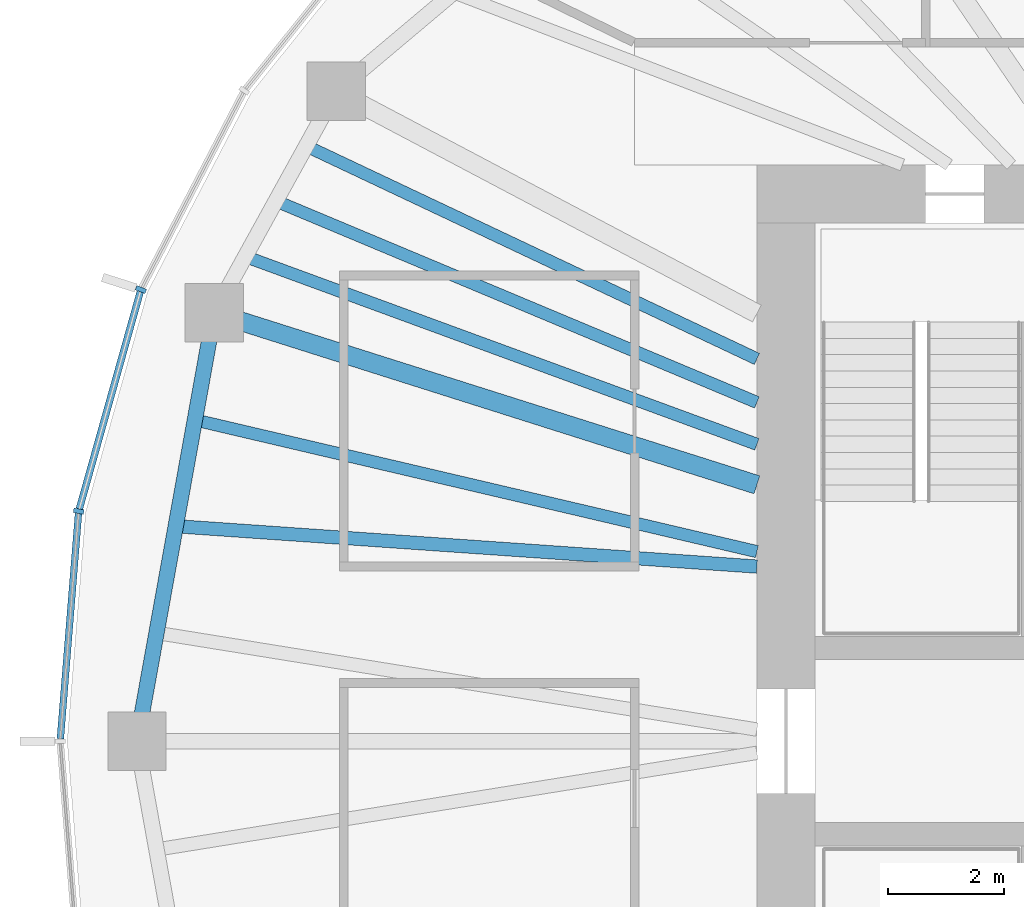
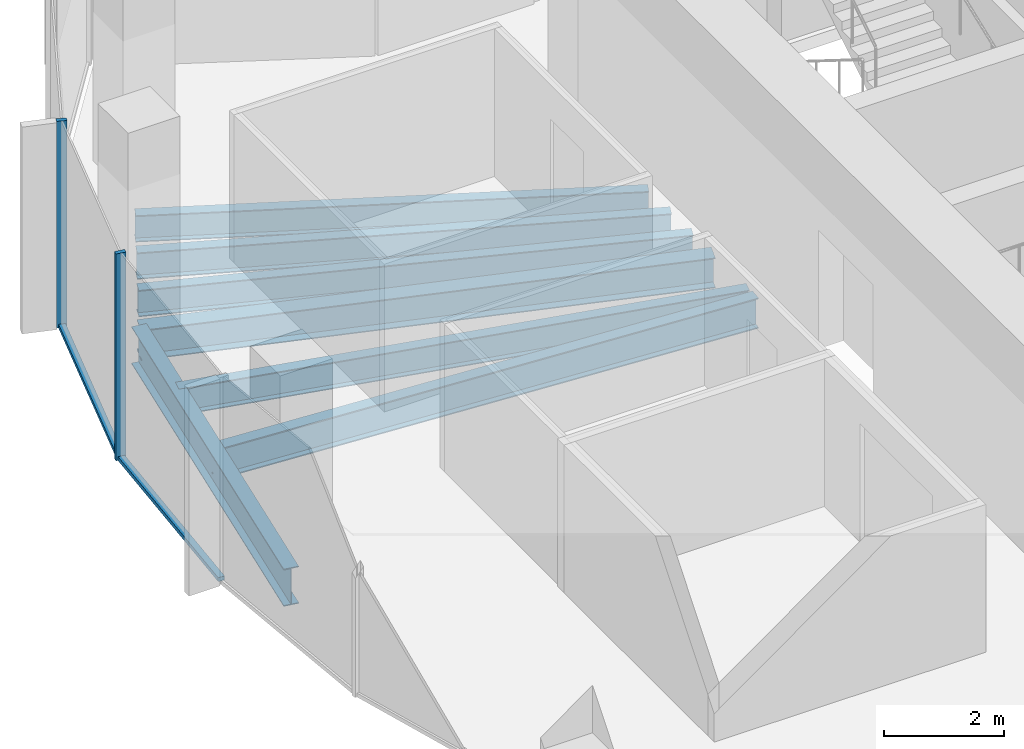
# One storey, part 3 of 11: 7 beams, 4 members, 1 element without a shape of its own.
"""IFC4 building model written with IfcOpenShell, lengths in metres."""

from ifc_helpers import new_model, si_unit, direction, frame, origin, origin_2d, place, context, subcontext, project, spatial, rectangle, i_section, extrude, material, material_profile, profile_set, type_object, element, aggregate, save


model = new_model("IFC4")

# Units and contexts
model_context = context("Model", 3, precision=1e-05, world=origin(), true_north=direction((0.0, 1.0)))
body_context = subcontext(model_context, "Body", "Model", "MODEL_VIEW")
ifc_project = project(units=[si_unit("LENGTHUNIT", "METRE"), si_unit("AREAUNIT", "SQUARE_METRE"), si_unit("VOLUMEUNIT", "CUBIC_METRE"), si_unit("PLANEANGLEUNIT", "RADIAN"), si_unit("MASSUNIT", "GRAM", prefix="KILO")], contexts=[model_context])

# Site, building, storey
site_placement = place(None, origin())
site = spatial("IfcSite", under=ifc_project, at=site_placement, CompositionType="ELEMENT")
building_placement = place(site_placement, origin())
building = spatial("IfcBuilding", under=site, at=building_placement, Name="Ghaith Harvest Tower", CompositionType="ELEMENT")
storey_placement = place(building_placement, frame((0.0, 0.0, 309.0)))
storey = spatial("IfcBuildingStorey", under=building, at=storey_placement, Name="L69", CompositionType="ELEMENT", Elevation=309.0)

# Curtain wall, members
ifc_material_1 = material(Name="Black anodised aluminium and fritted glass", Category="aluminium")
curtain_wall_type = type_object("IfcCurtainWallType", Name="CW-T CURTAIN WALL", PredefinedType="NOTDEFINED", material=ifc_material_1)
curtain_wall_placement = place(storey_placement, origin())
curtain_wall = element("IfcCurtainWall", 1, at=curtain_wall_placement, inside=storey, type_object=curtain_wall_type, Name="Curtain wall CW-T bay 10 L69", PredefinedType="NOTDEFINED")
ifc_material_2 = material(Name="Aluminium, black anodised", Category="aluminium")
ifc_material_profile_1 = material_profile(ifc_material_2, rectangle(XDim=0.080078125, YDim=0.179931640625, at=origin_2d()), Name="CW-T MULLION 80x180")
ifc_profile_set_1 = profile_set([ifc_material_profile_1], Name="Aluminium, black anodised")
member_type_1 = type_object("IfcMemberType", Name="CW-T MULLION 80x180", PredefinedType="MULLION", material=ifc_profile_set_1)
member_1_placement = place(storey_placement, frame((-24.482666015625, 7.759033203125, 0.0), z_axis=(0.0, 0.0, 1.0), x_axis=(-0.366473104961, -0.930428644948, 0.0)))
member_1 = element("IfcMember", 2, at=member_1_placement, type_object=member_type_1, Name="CW-T mullion 1 bay 10 L69", PredefinedType="MULLION", context=body_context, shape_type="SweptSolid", body=[
    extrude(rectangle(XDim=0.080078125, YDim=0.179931640625, at=origin_2d()), origin(), (0.0, 0.0, 1.0), 4.199951171875),
])
member_2_placement = place(storey_placement, frame((-25.5517578125, 3.9521484375, 0.0), z_axis=(0.0, 0.0, 1.0), x_axis=(-0.176001390642, -0.984389917915, 0.0)))
member_2 = element("IfcMember", 3, at=member_2_placement, type_object=member_type_1, Name="CW-T mullion 2 bay 10 L69", PredefinedType="MULLION", context=body_context, shape_type="SweptSolid", body=[
    extrude(rectangle(XDim=0.080078125, YDim=0.179931640625, at=origin_2d()), origin(), (0.0, 0.0, 1.0), 4.199951171875),
])
ifc_material_3 = material(Name="Aluminium, black anodised", Category="aluminium")
ifc_material_profile_2 = material_profile(ifc_material_3, rectangle(XDim=0.1201171875, YDim=0.080078125, at=origin_2d()), Name="CW-T TRANSOM 120x80")
ifc_profile_set_2 = profile_set([ifc_material_profile_2], Name="Aluminium, black anodised")
member_type_2 = type_object("IfcMemberType", Name="CW-T TRANSOM 120x80", PredefinedType="USERDEFINED", material=ifc_profile_set_2)
member_3_placement = place(storey_placement, frame((-24.49365234375, 7.720458984375, 0.0400390625), z_axis=(-0.270340422972, -0.962764797709, 0.0), x_axis=(0.962764797709, -0.270340422972, 0.0)))
member_3 = element("IfcMember", 4, at=member_3_placement, type_object=member_type_2, Name="CW-T transom 1 bay 10 L69", ObjectType="TRANSOM", PredefinedType="USERDEFINED", context=body_context, shape_type="SweptSolid", body=[
    extrude(rectangle(XDim=0.1201171875, YDim=0.080078125, at=origin_2d()), origin(), (0.0, 0.0, 1.0), 3.874267578125),
])
member_4_placement = place(storey_placement, frame((-25.554931640625, 3.912109375, 0.0400390625), z_axis=(-0.08025226314, -0.996774585481, 0.0), x_axis=(0.996774585481, -0.08025226314, 0.0)))
member_4 = element("IfcMember", 5, at=member_4_placement, type_object=member_type_2, Name="CW-T transom 2 bay 10 L69", ObjectType="TRANSOM", PredefinedType="USERDEFINED", context=body_context, shape_type="SweptSolid", body=[
    extrude(rectangle(XDim=0.1201171875, YDim=0.080078125, at=origin_2d()), origin(), (0.0, 0.0, 1.0), 3.884765625),
])
aggregate(curtain_wall, [member_1, member_3, member_2, member_4])

# Beams
ifc_material_4 = material(Name="Steel ASTM A992 Grade 50", Category="steel")
ifc_material_profile_3 = material_profile(ifc_material_4, i_section(OverallWidth=0.26611328125, OverallDepth=0.758056640625, WebThickness=0.013916015625, FlangeThickness=0.019287109375, at=origin_2d()), Name="W760X161")
ifc_profile_set_3 = profile_set([ifc_material_profile_3], Name="Steel ASTM A992 Grade 50")
beam_type_1 = type_object("IfcBeamType", Name="E760-161 W760X161", PredefinedType="SPANDREL", material=ifc_profile_set_3)
beam_1_placement = place(storey_placement, frame((-23.22412109375, 7.360107421875, -0.549072265625), z_axis=(-0.177296554745, -0.984157473007, 0.0), x_axis=(0.984157473007, -0.177296554745, 0.0)))
element("IfcBeam", 6, at=beam_1_placement, inside=storey, type_object=beam_type_1, Name="Edge beam E10 L69", PredefinedType="SPANDREL", context=body_context, shape_type="SweptSolid", body=[
    extrude(i_section(OverallWidth=0.26611328125, OverallDepth=0.758056640625, WebThickness=0.013916015625, FlangeThickness=0.019287109375, at=origin_2d()), origin(), (0.0, 0.0, 1.0), 7.478515625),
])
ifc_material_5 = material(Name="Steel ASTM A992 Grade 50", Category="steel")
ifc_material_profile_4 = material_profile(ifc_material_5, i_section(OverallWidth=0.323974609375, OverallDepth=0.611083984375, WebThickness=0.0126953125, FlangeThickness=0.01904296875, at=origin_2d()), Name="W610X155")
ifc_profile_set_4 = profile_set([ifc_material_profile_4], Name="Steel ASTM A992 Grade 50")
beam_type_2 = type_object("IfcBeamType", Name="G610-155 W610X155", PredefinedType="BEAM", material=ifc_profile_set_4)
beam_2_placement = place(storey_placement, frame((-13.89990234375, 4.4052734375, -0.4755859375), z_axis=(-0.953278508772, 0.302092841215, 0.0), x_axis=(-0.302092841215, -0.953278508772, 0.0)))
element("IfcBeam", 7, at=beam_2_placement, inside=storey, type_object=beam_type_2, Name="Radial girder G10 L69", PredefinedType="BEAM", context=body_context, shape_type="SweptSolid", body=[
    extrude(i_section(OverallWidth=0.323974609375, OverallDepth=0.611083984375, WebThickness=0.0126953125, FlangeThickness=0.01904296875, at=origin_2d()), origin(), (0.0, 0.0, 1.0), 9.78125),
])
ifc_material_6 = material(Name="Steel ASTM A992 Grade 50", Category="steel")
ifc_material_profile_5 = material_profile(ifc_material_6, i_section(OverallWidth=0.2109375, OverallDepth=0.5390625, WebThickness=0.01171875, FlangeThickness=0.018798828125, at=origin_2d()), Name="W530X109")
ifc_profile_set_5 = profile_set([ifc_material_profile_5], Name="Steel ASTM A992 Grade 50")
beam_type_3 = type_object("IfcBeamType", Name="J530-109 W530X109", PredefinedType="JOIST", material=ifc_profile_set_5)
beam_3_placement = place(storey_placement, frame((-13.89990234375, 6.56787109375, -0.439453125), z_axis=(-0.904165769726, 0.427181765594, 0.0), x_axis=(-0.427181765594, -0.904165769726, 0.0)))
element("IfcBeam", 8, at=beam_3_placement, inside=storey, type_object=beam_type_3, Name="Joist J09.1 L69", PredefinedType="JOIST", context=body_context, shape_type="SweptSolid", body=[
    extrude(i_section(OverallWidth=0.2109375, OverallDepth=0.5390625, WebThickness=0.01171875, FlangeThickness=0.018798828125, at=origin_2d()), origin(), (0.0, 0.0, 1.0), 8.564208984375),
])
beam_4_placement = place(storey_placement, frame((-13.89990234375, 5.82080078125, -0.439453125), z_axis=(-0.922394258818, 0.38624970071, 0.0), x_axis=(-0.38624970071, -0.922394258818, 0.0)))
element("IfcBeam", 9, at=beam_4_placement, inside=storey, type_object=beam_type_3, Name="Joist J09.2 L69", PredefinedType="JOIST", context=body_context, shape_type="SweptSolid", body=[
    extrude(i_section(OverallWidth=0.2109375, OverallDepth=0.5390625, WebThickness=0.01171875, FlangeThickness=0.018798828125, at=origin_2d()), origin(), (0.0, 0.0, 1.0), 8.959716796875),
])
beam_5_placement = place(storey_placement, frame((-13.89990234375, 5.101318359375, -0.439453125), z_axis=(-0.938776837502, 0.34452583266, 0.0), x_axis=(-0.34452583266, -0.938776837502, 0.0)))
element("IfcBeam", 10, at=beam_5_placement, inside=storey, type_object=beam_type_3, Name="Joist J09.3 L69", PredefinedType="JOIST", context=body_context, shape_type="SweptSolid", body=[
    extrude(i_section(OverallWidth=0.2109375, OverallDepth=0.5390625, WebThickness=0.01171875, FlangeThickness=0.018798828125, at=origin_2d()), origin(), (0.0, 0.0, 1.0), 9.36376953125),
])
beam_6_placement = place(storey_placement, frame((-13.89990234375, 3.257080078125, -0.439453125), z_axis=(-0.973623403271, 0.228161058472, 0.0), x_axis=(-0.228161058472, -0.973623403271, 0.0)))
element("IfcBeam", 11, at=beam_6_placement, inside=storey, type_object=beam_type_3, Name="Joist J10.1 L69", PredefinedType="JOIST", context=body_context, shape_type="SweptSolid", body=[
    extrude(i_section(OverallWidth=0.2109375, OverallDepth=0.5390625, WebThickness=0.01171875, FlangeThickness=0.018798828125, at=origin_2d()), origin(), (0.0, 0.0, 1.0), 9.9169921875),
])
ifc_material_7 = material(Name="Steel ASTM A992 Grade 50", Category="steel")
ifc_material_profile_6 = material_profile(ifc_material_7, i_section(OverallWidth=0.22998046875, OverallDepth=0.616943359375, WebThickness=0.01318359375, FlangeThickness=0.022216796875, at=origin_2d()), Name="W610X140")
ifc_profile_set_6 = profile_set([ifc_material_profile_6], Name="Steel ASTM A992 Grade 50")
beam_type_4 = type_object("IfcBeamType", Name="J610-140 W610X140", PredefinedType="JOIST", material=ifc_profile_set_6)
beam_7_placement = place(storey_placement, frame((-13.89990234375, 3.0, -0.478515625), z_axis=(-0.997592478057, 0.069348739886, 0.0), x_axis=(-0.069348739886, -0.997592478057, 0.0)))
element("IfcBeam", 12, at=beam_7_placement, inside=storey, type_object=beam_type_4, Name="Joist J10.2 L69", PredefinedType="JOIST", context=body_context, shape_type="SweptSolid", body=[
    extrude(i_section(OverallWidth=0.22998046875, OverallDepth=0.616943359375, WebThickness=0.01318359375, FlangeThickness=0.022216796875, at=origin_2d()), origin(), (0.0, 0.0, 1.0), 10.0087890625),
])

save(model, "model.ifc")
